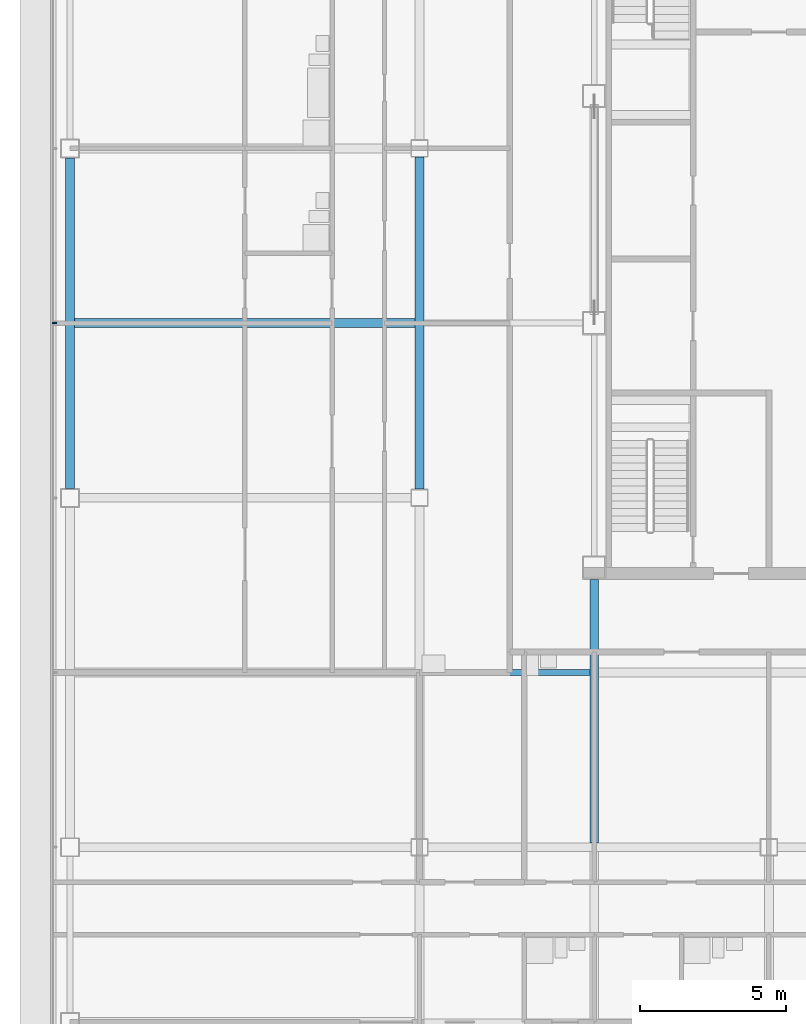
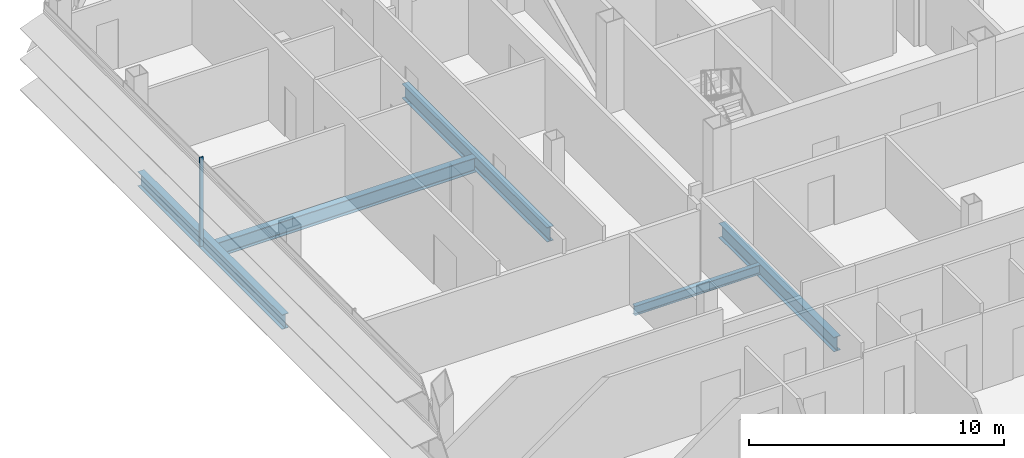
# One storey, part 6 of 30: 5 beams, 1 member, 1 element without a shape of its own.
"""IFC4 building model written with IfcOpenShell, lengths in metres."""

from ifc_helpers import new_model, si_unit, direction, frame, origin, origin_2d, place, context, subcontext, project, spatial, rectangle, i_section, extrude, material, material_profile, profile_set, type_object, element, aggregate, save


model = new_model("IFC4")

# Units and contexts
model_context = context("Model", 3, precision=1e-05, world=origin(), true_north=direction((0.0, 1.0)))
body_context = subcontext(model_context, "Body", "Model", "MODEL_VIEW")
ifc_project = project(units=[si_unit("LENGTHUNIT", "METRE"), si_unit("AREAUNIT", "SQUARE_METRE"), si_unit("VOLUMEUNIT", "CUBIC_METRE"), si_unit("PLANEANGLEUNIT", "RADIAN"), si_unit("MASSUNIT", "GRAM", prefix="KILO")], contexts=[model_context])

# Site, building, storey
site_placement = place(None, origin())
site = spatial("IfcSite", under=ifc_project, at=site_placement, CompositionType="ELEMENT")
building_placement = place(site_placement, origin())
building = spatial("IfcBuilding", under=site, at=building_placement, Name="Sorahane Residences", CompositionType="ELEMENT")
storey_placement = place(building_placement, frame((0.0, 0.0, 229.800048828125)))
storey = spatial("IfcBuildingStorey", under=building, at=storey_placement, Name="L54", CompositionType="ELEMENT", Elevation=229.800048828125)

# Curtain wall, member
ifc_material_1 = material(Name="Dark low-e glass and black anodised aluminium", Category="aluminium")
curtain_wall_type = type_object("IfcCurtainWallType", Name="Curtain wall CW-1 Typical unitised wall", PredefinedType="NOTDEFINED", material=ifc_material_1)
curtain_wall_placement = place(storey_placement, origin())
curtain_wall = element("IfcCurtainWall", 1, at=curtain_wall_placement, inside=storey, type_object=curtain_wall_type, Name="CW-1 curtain wall L54 W1", PredefinedType="NOTDEFINED")
ifc_material_2 = material(Name="Black anodised aluminium", Category="aluminium")
ifc_material_profile_1 = material_profile(ifc_material_2, rectangle(XDim=0.159912109375, YDim=0.050048828125, at=origin_2d()), Name="Curtain wall mullion CW-1 black anodised aluminium 50x160")
ifc_profile_set_1 = profile_set([ifc_material_profile_1], Name="Black anodised aluminium")
member_type = type_object("IfcMemberType", Name="Curtain wall mullion CW-1 black anodised aluminium 50x160", PredefinedType="MULLION", material=ifc_profile_set_1)
member_placement = place(storey_placement, frame((-12.5400390625, 30.0, -0.179931640625), z_axis=(0.0, 0.0, 1.0), x_axis=(-1.0, 0.0, 0.0)))
member = element("IfcMember", 2, at=member_placement, type_object=member_type, Name="CW-1 mullion L54 W1.3", PredefinedType="MULLION", context=body_context, shape_type="SweptSolid", body=[
    extrude(rectangle(XDim=0.159912109375, YDim=0.050048828125, at=origin_2d()), origin(), (0.0, 0.0, 1.0), 4.27978515625),
])
aggregate(curtain_wall, [member])

# Beams
ifc_material_3 = material(Name="Steel Q355B", Category="steel")
ifc_material_profile_2 = material_profile(ifc_material_3, i_section(OverallWidth=0.199951171875, OverallDepth=0.449951171875, WebThickness=0.009033203125, FlangeThickness=0.013916015625, FilletRadius=0.02001953125, at=origin_2d()), Name="HN 450x200x9x14")
ifc_profile_set_2 = profile_set([ifc_material_profile_2], Name="Steel Q355B")
beam_type_1 = type_object("IfcBeamType", Name="Steel floor beam HN 450x200x9x14 Q355B", PredefinedType="BEAM", material=ifc_profile_set_2)
beam_1_placement = place(storey_placement, frame((0.14990234375, 18.0, -0.405029296875), z_axis=(1.0, 0.0, 0.0), x_axis=(0.0, 1.0, 0.0)))
element("IfcBeam", 3, at=beam_1_placement, inside=storey, type_object=beam_type_1, Name="Beam L54 078", PredefinedType="BEAM", context=body_context, shape_type="SweptSolid", body=[
    extrude(i_section(OverallWidth=0.199951171875, OverallDepth=0.449951171875, WebThickness=0.009033203125, FlangeThickness=0.013916015625, FilletRadius=0.02001953125, at=origin_2d()), origin(), (0.0, 0.0, 1.0), 5.7001953125),
])
ifc_material_4 = material(Name="Steel Q355B", Category="steel")
ifc_material_profile_3 = material_profile(ifc_material_4, i_section(OverallWidth=0.300048828125, OverallDepth=0.699951171875, WebThickness=0.012939453125, FlangeThickness=0.02392578125, FilletRadius=0.028076171875, at=origin_2d()), Name="HN 700x300x13x24")
ifc_profile_set_3 = profile_set([ifc_material_profile_3], Name="Steel Q355B")
beam_type_2 = type_object("IfcBeamType", Name="Steel floor beam HN 700x300x13x24 Q355B", PredefinedType="BEAM", material=ifc_profile_set_3)
beam_2_placement = place(storey_placement, frame((-12.0, 24.324951171875, -0.530029296875), z_axis=(0.0, 1.0, 0.0), x_axis=(-1.0, 0.0, 0.0)))
element("IfcBeam", 4, at=beam_2_placement, inside=storey, type_object=beam_type_2, Name="Beam L54 022", PredefinedType="BEAM", context=body_context, shape_type="SweptSolid", body=[
    extrude(i_section(OverallWidth=0.300048828125, OverallDepth=0.699951171875, WebThickness=0.012939453125, FlangeThickness=0.02392578125, FilletRadius=0.028076171875, at=origin_2d()), origin(), (0.0, 0.0, 1.0), 11.35009765625),
])
beam_3_placement = place(storey_placement, frame((0.0, 24.300048828125, -0.530029296875), z_axis=(0.0, 1.0, 0.0), x_axis=(-1.0, 0.0, 0.0)))
element("IfcBeam", 5, at=beam_3_placement, inside=storey, type_object=beam_type_2, Name="Beam L54 026", PredefinedType="BEAM", context=body_context, shape_type="SweptSolid", body=[
    extrude(i_section(OverallWidth=0.300048828125, OverallDepth=0.699951171875, WebThickness=0.012939453125, FlangeThickness=0.02392578125, FilletRadius=0.028076171875, at=origin_2d()), origin(), (0.0, 0.0, 1.0), 11.39990234375),
])
beam_4_placement = place(storey_placement, frame((6.0, 12.14990234375, -0.530029296875), z_axis=(0.0, 1.0, 0.0), x_axis=(-1.0, 0.0, 0.0)))
element("IfcBeam", 6, at=beam_4_placement, inside=storey, type_object=beam_type_2, Name="Beam L54 029", PredefinedType="BEAM", context=body_context, shape_type="SweptSolid", body=[
    extrude(i_section(OverallWidth=0.300048828125, OverallDepth=0.699951171875, WebThickness=0.012939453125, FlangeThickness=0.02392578125, FilletRadius=0.028076171875, at=origin_2d()), origin(), (0.0, 0.0, 1.0), 9.050048828125),
])
beam_5_placement = place(storey_placement, frame((-11.85009765625, 30.0, -0.530029296875), z_axis=(1.0, 0.0, 0.0), x_axis=(0.0, 1.0, 0.0)))
element("IfcBeam", 7, at=beam_5_placement, inside=storey, type_object=beam_type_2, Name="Beam L54 084", PredefinedType="BEAM", context=body_context, shape_type="SweptSolid", body=[
    extrude(i_section(OverallWidth=0.300048828125, OverallDepth=0.699951171875, WebThickness=0.012939453125, FlangeThickness=0.02392578125, FilletRadius=0.028076171875, at=origin_2d()), origin(), (0.0, 0.0, 1.0), 11.7001953125),
])

save(model, "model.ifc")
